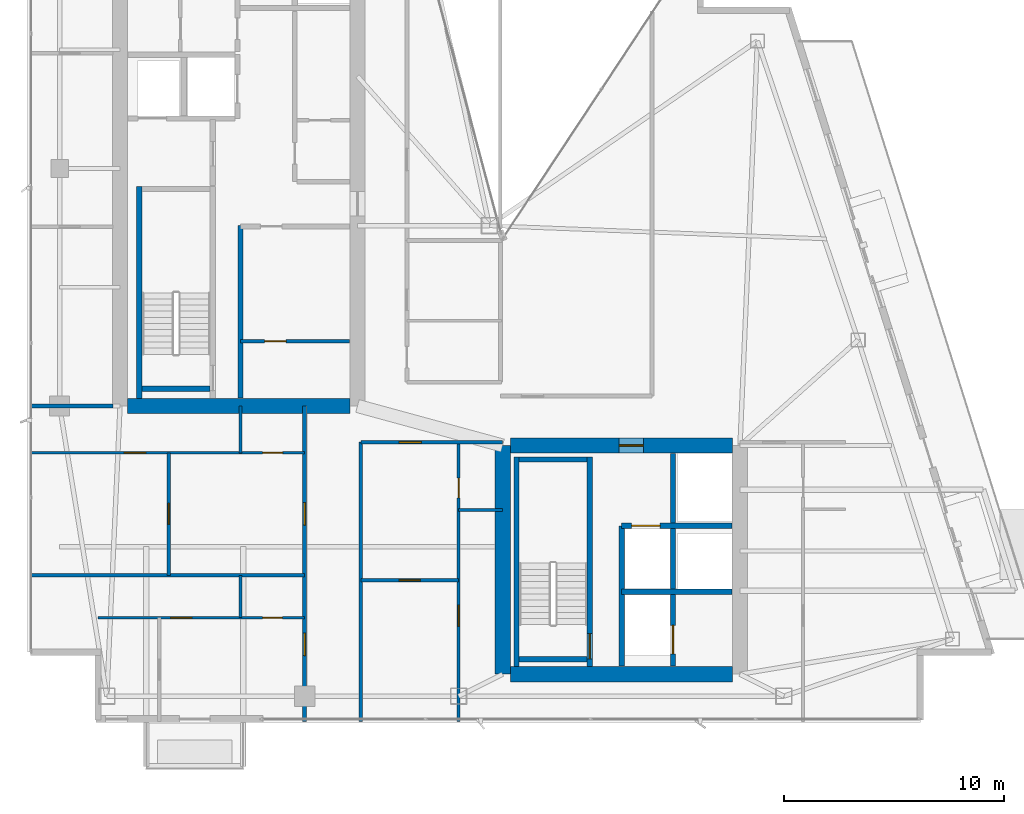
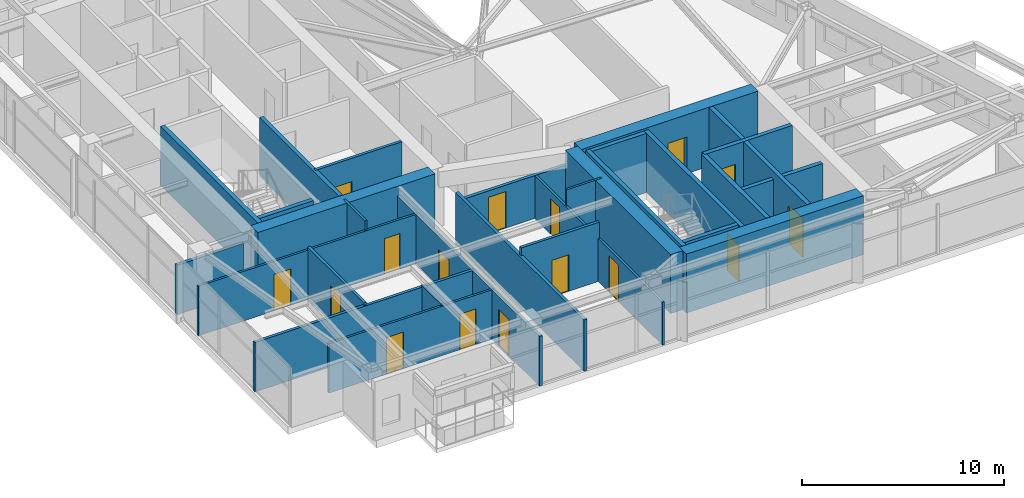
# One storey, part 23 of 28: 29 walls, 16 doors, 16 openings.
"""IFC4 building model written with IfcOpenShell, lengths in metres."""

from ifc_helpers import new_model, si_unit, direction, frame, frame_2d, origin, place, context, subcontext, project, spatial, rectangle, extrude, material, layer, layer_set, type_object, element, fill, save


model = new_model("IFC4")

# Units and contexts
model_context = context("Model", 3, precision=1e-05, world=origin(), true_north=direction((0.0, 1.0)))
body_context = subcontext(model_context, "Body", "Model", "MODEL_VIEW")
ifc_project = project(units=[si_unit("LENGTHUNIT", "METRE"), si_unit("AREAUNIT", "SQUARE_METRE"), si_unit("VOLUMEUNIT", "CUBIC_METRE"), si_unit("PLANEANGLEUNIT", "RADIAN"), si_unit("MASSUNIT", "GRAM", prefix="KILO")], contexts=[model_context])

# Site, building, storey
site_placement = place(None, origin())
site = spatial("IfcSite", under=ifc_project, at=site_placement, CompositionType="ELEMENT")
building_placement = place(site_placement, origin())
building = spatial("IfcBuilding", under=site, at=building_placement, Name="Calvorn Quay Hotel", CompositionType="ELEMENT")
storey_placement = place(building_placement, frame((0.0, 0.0, 263.5)))
storey = spatial("IfcBuildingStorey", under=building, at=storey_placement, Name="L65", CompositionType="ELEMENT", Elevation=263.5)

# Walls
ifc_material_1 = material(Name="Concrete C45", Category="concrete")
ifc_layer_1 = layer(ifc_material_1, 0.699951171875)
ifc_layer_set_1 = layer_set([ifc_layer_1], Name="WL-CORE-700")
wall_type_1 = type_object("IfcWallType", Name="WL-CORE-700", PredefinedType="SHEAR", material=ifc_layer_set_1)
wall_1_placement = place(storey_placement, frame((4.550048828125, 16.800048828125, 0.0), z_axis=(0.0, 0.0, 1.0), x_axis=(1.0, 0.0, 0.0)))
element("IfcWall", 1, at=wall_1_placement, inside=storey, type_object=wall_type_1, Name="West Core Shear Wall S (L65)", PredefinedType="SHEAR", context=body_context, shape_type="SweptSolid", body=[
    extrude(rectangle(XDim=10.099853515625, YDim=0.699951171875, at=frame_2d((5.0498046875, 0.0))), origin(), (0.0, 0.0, 1.0), 3.56005859375),
])
wall_2_placement = place(storey_placement, frame((21.60009765625, 4.60009765625, 0.0), z_axis=(0.0, 0.0, 1.0), x_axis=(0.0, 1.0, 0.0)))
element("IfcWall", 2, at=wall_2_placement, inside=storey, type_object=wall_type_1, Name="East Core Shear Wall W (L65)", PredefinedType="SHEAR", context=body_context, shape_type="SweptSolid", body=[
    extrude(rectangle(XDim=10.39990234375, YDim=0.699951171875, at=frame_2d((5.199951171875, 0.0))), origin(), (0.0, 0.0, 1.0), 3.56005859375),
])

# Wall, opening, door
wall_3_placement = place(storey_placement, frame((21.949951171875, 15.0, 0.0), z_axis=(0.0, 0.0, 1.0), x_axis=(1.0, 0.0, 0.0)))
wall_3 = element("IfcWall", 3, at=wall_3_placement, inside=storey, type_object=wall_type_1, Name="East Core Shear Wall N (L65)", PredefinedType="SHEAR", context=body_context, shape_type="SweptSolid", body=[
    extrude(rectangle(XDim=10.10009765625, YDim=0.699951171875, at=frame_2d((5.050048828125, 0.0))), origin(), (0.0, 0.0, 1.0), 3.56005859375),
])
opening_1_placement = place(wall_3_placement, frame((4.949951171875, 0.0, 0.0)))
opening_1 = element("IfcOpeningElement", 4, at=opening_1_placement, cuts=wall_3, Name="Opening D-L65-FLE", PredefinedType="OPENING", context=body_context, shape_type="SweptSolid", body=[
    extrude(rectangle(XDim=1.10009765625, YDim=2.199951171875, at=frame_2d((0.550048828125, 1.10009765625))), frame((0.0, 0.35986328125, 0.0), z_axis=(0.0, -1.0, 0.0), x_axis=(1.0, 0.0, 0.0)), (0.0, 0.0, 1.0), 0.719970703125),
])
ifc_material_2 = material(Name="Smoke-Sealed Steel Class A Fire Door", Category="steel")
door_type_1 = type_object("IfcDoorType", Name="DR-FFLOBBY-1100", OperationType="NOTDEFINED", PredefinedType="DOOR", material=ifc_material_2)
door_1_placement = place(opening_1_placement, origin())
door_1 = element("IfcDoor", 5, at=door_1_placement, inside=storey, type_object=door_type_1, Name="East Firefighting Lobby Fire Door (L65)", OperationType="SINGLE_SWING_LEFT", OverallHeight=2.199951171875, OverallWidth=1.10009765625, PredefinedType="DOOR", context=body_context, shape_type="SweptSolid", body=[
    extrude(rectangle(XDim=1.10009765625, YDim=2.199951171875, at=frame_2d((0.550048828125, 1.10009765625))), frame((0.0, 0.02490234375, 0.0), z_axis=(0.0, -1.0, 0.0), x_axis=(1.0, 0.0, 0.0)), (0.0, 0.0, 1.0), 0.050048828125),
])
fill(opening_1, door_1)

# Walls
wall_4_placement = place(storey_placement, frame((21.949951171875, 4.60009765625, 0.0), z_axis=(0.0, 0.0, 1.0), x_axis=(1.0, 0.0, 0.0)))
element("IfcWall", 6, at=wall_4_placement, inside=storey, type_object=wall_type_1, Name="East Core Shear Wall S (L65)", PredefinedType="SHEAR", context=body_context, shape_type="SweptSolid", body=[
    extrude(rectangle(XDim=10.10009765625, YDim=0.699951171875, at=frame_2d((5.050048828125, 0.0))), origin(), (0.0, 0.0, 1.0), 3.56005859375),
])
ifc_material_3 = material(Name="Acoustic Fireboard Steel-Stud Partition", Category="steel")
ifc_layer_2 = layer(ifc_material_3, 0.179931640625)
ifc_layer_set_2 = layer_set([ifc_layer_2], Name="WL-CORR-FIRE-180")
wall_type_2 = type_object("IfcWallType", Name="WL-CORR-FIRE-180", PredefinedType="PARTITIONING", material=ifc_layer_set_2)
wall_5_placement = place(storey_placement, frame((0.080078125, 16.800048828125, 0.0), z_axis=(0.0, 0.0, 1.0), x_axis=(1.0, 0.0, 0.0)))
element("IfcWall", 7, at=wall_5_placement, inside=storey, type_object=wall_type_2, Name="Partition Wall L65-WL-WBAY-S-WALL", PredefinedType="PARTITIONING", context=body_context, shape_type="SweptSolid", body=[
    extrude(rectangle(XDim=3.7998046875, YDim=0.179931640625, at=frame_2d((1.89990234375, 0.0))), origin(), (0.0, 0.0, 1.0), 2.989990234375),
])

# Wall, openings, doors
wall_6_placement = place(storey_placement, frame((12.60009765625, 2.43994140625, 0.0), z_axis=(0.0, 0.0, 1.0), x_axis=(0.0, 1.0, 0.0)))
wall_6 = element("IfcWall", 8, at=wall_6_placement, inside=storey, type_object=wall_type_2, Name="Partition Wall L65-WL-CORR-SW-LEG-W", PredefinedType="PARTITIONING", context=body_context, shape_type="SweptSolid", body=[
    extrude(rectangle(XDim=14.360107421875, YDim=0.179931640625, at=frame_2d((7.18017578125, 0.0))), origin(), (0.0, 0.0, 1.0), 2.989990234375),
])
opening_2_placement = place(wall_6_placement, frame((3.010009765625, 0.0, 0.0)))
opening_2 = element("IfcOpeningElement", 9, at=opening_2_placement, cuts=wall_6, Name="Opening D-L65-U01", PredefinedType="OPENING", context=body_context, shape_type="SweptSolid", body=[
    extrude(rectangle(XDim=1.02001953125, YDim=2.199951171875, at=frame_2d((0.510009765625, 1.10009765625))), frame((0.0, 0.099853515625, 0.0), z_axis=(0.0, -1.0, 0.0), x_axis=(1.0, 0.0, 0.0)), (0.0, 0.0, 1.0), 0.199951171875),
])
opening_3_placement = place(wall_6_placement, frame((8.93994140625, 0.0, 0.0)))
opening_3 = element("IfcOpeningElement", 10, at=opening_3_placement, cuts=wall_6, Name="Opening D-L65-U02", PredefinedType="OPENING", context=body_context, shape_type="SweptSolid", body=[
    extrude(rectangle(XDim=1.02001953125, YDim=2.199951171875, at=frame_2d((0.510009765625, 1.10009765625))), frame((0.0, 0.099853515625, 0.0), z_axis=(0.0, -1.0, 0.0), x_axis=(1.0, 0.0, 0.0)), (0.0, 0.0, 1.0), 0.199951171875),
])
ifc_material_4 = material(Name="Solid-Core Walnut Veneer Hotel Fire Door")
door_type_2 = type_object("IfcDoorType", Name="DR-GUEST-ENTRY-1020", OperationType="NOTDEFINED", PredefinedType="DOOR", material=ifc_material_4)
door_2_placement = place(opening_2_placement, origin())
door_2 = element("IfcDoor", 11, at=door_2_placement, inside=storey, type_object=door_type_2, Name="South-West Unit Door U01 (L65)", OperationType="SINGLE_SWING_LEFT", OverallHeight=2.199951171875, OverallWidth=1.02001953125, PredefinedType="DOOR", context=body_context, shape_type="SweptSolid", body=[
    extrude(rectangle(XDim=1.02001953125, YDim=2.199951171875, at=frame_2d((0.510009765625, 1.10009765625))), frame((0.0, 0.02490234375, 0.0), z_axis=(0.0, -1.0, 0.0), x_axis=(1.0, 0.0, 0.0)), (0.0, 0.0, 1.0), 0.050048828125),
])
fill(opening_2, door_2)
door_3_placement = place(opening_3_placement, origin())
door_3 = element("IfcDoor", 12, at=door_3_placement, inside=storey, type_object=door_type_2, Name="South-West Unit Door U02 (L65)", OperationType="SINGLE_SWING_RIGHT", OverallHeight=2.199951171875, OverallWidth=1.02001953125, PredefinedType="DOOR", context=body_context, shape_type="SweptSolid", body=[
    extrude(rectangle(XDim=1.02001953125, YDim=2.199951171875, at=frame_2d((0.510009765625, 1.10009765625))), frame((0.0, 0.02490234375, 0.0), z_axis=(0.0, -1.0, 0.0), x_axis=(1.0, 0.0, 0.0)), (0.0, 0.0, 1.0), 0.050048828125),
])
fill(opening_3, door_3)

# Wall
wall_7_placement = place(storey_placement, frame((15.14990234375, 2.43994140625, 0.0), z_axis=(0.0, 0.0, 1.0), x_axis=(0.0, 1.0, 0.0)))
element("IfcWall", 13, at=wall_7_placement, inside=storey, type_object=wall_type_2, Name="Partition Wall L65-WL-CORR-SW-W", PredefinedType="PARTITIONING", context=body_context, shape_type="SweptSolid", body=[
    extrude(rectangle(XDim=12.7099609375, YDim=0.179931640625, at=frame_2d((6.35498046875, 0.0))), origin(), (0.0, 0.0, 1.0), 3.090087890625),
])

# Wall, opening, door
wall_8_placement = place(storey_placement, frame((15.14990234375, 15.14990234375, 0.0), z_axis=(0.0, 0.0, 1.0), x_axis=(1.0, 0.0, 0.0)))
wall_8 = element("IfcWall", 14, at=wall_8_placement, inside=storey, type_object=wall_type_2, Name="Partition Wall L65-WL-SC-CORR-S", PredefinedType="PARTITIONING", context=body_context, shape_type="SweptSolid", body=[
    extrude(rectangle(XDim=6.4501953125, YDim=0.179931640625, at=frame_2d((3.22509765625, 0.0))), origin(), (0.0, 0.0, 1.0), 2.590087890625),
])
opening_4_placement = place(wall_8_placement, frame((1.739990234375, 0.0, 0.0)))
opening_4 = element("IfcOpeningElement", 15, at=opening_4_placement, cuts=wall_8, Name="Opening D-L65-U03", PredefinedType="OPENING", context=body_context, shape_type="SweptSolid", body=[
    extrude(rectangle(XDim=1.02001953125, YDim=2.199951171875, at=frame_2d((0.510009765625, 1.10009765625))), frame((0.0, 0.099853515625, 0.0), z_axis=(0.0, -1.0, 0.0), x_axis=(1.0, 0.0, 0.0)), (0.0, 0.0, 1.0), 0.199951171875),
])
door_4_placement = place(opening_4_placement, origin())
door_4 = element("IfcDoor", 16, at=door_4_placement, inside=storey, type_object=door_type_2, Name="Harbour Central Unit Door (L65)", OperationType="SINGLE_SWING_LEFT", OverallHeight=2.199951171875, OverallWidth=1.02001953125, PredefinedType="DOOR", context=body_context, shape_type="SweptSolid", body=[
    extrude(rectangle(XDim=1.02001953125, YDim=2.199951171875, at=frame_2d((0.510009765625, 1.10009765625))), frame((0.0, 0.02490234375, 0.0), z_axis=(0.0, -1.0, 0.0), x_axis=(1.0, 0.0, 0.0)), (0.0, 0.0, 1.0), 0.050048828125),
])
fill(opening_4, door_4)

# Wall
ifc_material_5 = material(Name="Moisture-Resistant Tile-Backed Partition")
ifc_layer_3 = layer(ifc_material_5, 0.125)
ifc_layer_set_3 = layer_set([ifc_layer_3], Name="WL-ENSUITE-125")
wall_type_3 = type_object("IfcWallType", Name="WL-ENSUITE-125", PredefinedType="PARTITIONING", material=ifc_layer_set_3)
wall_9_placement = place(storey_placement, frame((9.679931640625, 7.169921875, 0.0), z_axis=(0.0, 0.0, 1.0), x_axis=(0.0, 1.0, 0.0)))
element("IfcWall", 17, at=wall_9_placement, inside=storey, type_object=wall_type_3, Name="Partition Wall L65-WL-U01-BDV", PredefinedType="PARTITIONING", context=body_context, shape_type="SweptSolid", body=[
    extrude(rectangle(XDim=1.93017578125, YDim=0.125, at=frame_2d((0.965087890625, 0.0))), origin(), (0.0, 0.0, 1.0), 3.090087890625),
])

# Wall, openings, doors
wall_10_placement = place(storey_placement, frame((3.199951171875, 7.169921875, 0.0), z_axis=(0.0, 0.0, 1.0), x_axis=(1.0, 0.0, 0.0)))
wall_10 = element("IfcWall", 18, at=wall_10_placement, inside=storey, type_object=wall_type_3, Name="Partition Wall L65-WL-U01-BH", PredefinedType="PARTITIONING", context=body_context, shape_type="SweptSolid", body=[
    extrude(rectangle(XDim=9.400146484375, YDim=0.125, at=frame_2d((4.7001953125, 0.0))), origin(), (0.0, 0.0, 1.0), 2.989990234375),
])
opening_5_placement = place(wall_10_placement, frame((3.300048828125, 0.0, 0.0)))
opening_5 = element("IfcOpeningElement", 19, at=opening_5_placement, cuts=wall_10, Name="Opening D-L65-S01", PredefinedType="OPENING", context=body_context, shape_type="SweptSolid", body=[
    extrude(rectangle(XDim=0.9599609375, YDim=2.199951171875, at=frame_2d((0.47998046875, 1.10009765625))), frame((0.0, 0.072509765625, 0.0), z_axis=(0.0, -1.0, 0.0), x_axis=(1.0, 0.0, 0.0)), (0.0, 0.0, 1.0), 0.14501953125),
])
opening_6_placement = place(wall_10_placement, frame((7.489990234375, 0.0, 0.0)))
opening_6 = element("IfcOpeningElement", 20, at=opening_6_placement, cuts=wall_10, Name="Opening D-L65-E01", PredefinedType="OPENING", context=body_context, shape_type="SweptSolid", body=[
    extrude(rectangle(XDim=0.89990234375, YDim=2.14990234375, at=frame_2d((0.449951171875, 1.074951171875))), frame((0.0, 0.072509765625, 0.0), z_axis=(0.0, -1.0, 0.0), x_axis=(1.0, 0.0, 0.0)), (0.0, 0.0, 1.0), 0.14501953125),
])
ifc_material_6 = material(Name="Moisture-Sealed Timber En-Suite Door", Category="wood")
door_type_3 = type_object("IfcDoorType", Name="DR-ENSUITE-900", OperationType="NOTDEFINED", PredefinedType="DOOR", material=ifc_material_6)
door_5_placement = place(opening_6_placement, origin())
door_5 = element("IfcDoor", 21, at=door_5_placement, inside=storey, type_object=door_type_3, Name="En-Suite Door 01", OperationType="SINGLE_SWING_RIGHT", OverallHeight=2.14990234375, OverallWidth=0.89990234375, PredefinedType="DOOR", context=body_context, shape_type="SweptSolid", body=[
    extrude(rectangle(XDim=0.89990234375, YDim=2.14990234375, at=frame_2d((0.449951171875, 1.074951171875))), frame((0.0, 0.02490234375, 0.0), z_axis=(0.0, -1.0, 0.0), x_axis=(1.0, 0.0, 0.0)), (0.0, 0.0, 1.0), 0.050048828125),
])
fill(opening_6, door_5)
ifc_material_7 = material(Name="Solid Timber Internal Suite Door", Category="wood")
door_type_4 = type_object("IfcDoorType", Name="DR-SUITE-INT-960", OperationType="NOTDEFINED", PredefinedType="DOOR", material=ifc_material_7)
door_6_placement = place(opening_5_placement, origin())
door_6 = element("IfcDoor", 22, at=door_6_placement, inside=storey, type_object=door_type_4, Name="Harbour Dining Den Door 01", OperationType="SINGLE_SWING_LEFT", OverallHeight=2.199951171875, OverallWidth=0.9599609375, PredefinedType="DOOR", context=body_context, shape_type="SweptSolid", body=[
    extrude(rectangle(XDim=0.9599609375, YDim=2.199951171875, at=frame_2d((0.47998046875, 1.10009765625))), frame((0.0, 0.02490234375, 0.0), z_axis=(0.0, -1.0, 0.0), x_axis=(1.0, 0.0, 0.0)), (0.0, 0.0, 1.0), 0.050048828125),
])
fill(opening_5, door_6)

# Wall
wall_11_placement = place(storey_placement, frame((9.679931640625, 14.669921875, 0.0), z_axis=(0.0, 0.0, 1.0), x_axis=(0.0, 1.0, 0.0)))
element("IfcWall", 23, at=wall_11_placement, inside=storey, type_object=wall_type_3, Name="Partition Wall L65-WL-U02-BDV", PredefinedType="PARTITIONING", context=body_context, shape_type="SweptSolid", body=[
    extrude(rectangle(XDim=2.130126953125, YDim=0.125, at=frame_2d((1.06494140625, 0.0))), origin(), (0.0, 0.0, 1.0), 3.56005859375),
])

# Wall, openings, doors
wall_12_placement = place(storey_placement, frame((0.080078125, 14.669921875, 0.0), z_axis=(0.0, 0.0, 1.0), x_axis=(1.0, 0.0, 0.0)))
wall_12 = element("IfcWall", 24, at=wall_12_placement, inside=storey, type_object=wall_type_3, Name="Partition Wall L65-WL-U02-BH", PredefinedType="PARTITIONING", context=body_context, shape_type="SweptSolid", body=[
    extrude(rectangle(XDim=12.52001953125, YDim=0.125, at=frame_2d((6.260009765625, 0.0))), origin(), (0.0, 0.0, 1.0), 2.989990234375),
])
opening_7_placement = place(wall_12_placement, frame((4.320068359375, 0.0, 0.0)))
opening_7 = element("IfcOpeningElement", 25, at=opening_7_placement, cuts=wall_12, Name="Opening D-L65-S02", PredefinedType="OPENING", context=body_context, shape_type="SweptSolid", body=[
    extrude(rectangle(XDim=0.9599609375, YDim=2.199951171875, at=frame_2d((0.47998046875, 1.10009765625))), frame((0.0, 0.072509765625, 0.0), z_axis=(0.0, -1.0, 0.0), x_axis=(1.0, 0.0, 0.0)), (0.0, 0.0, 1.0), 0.14501953125),
])
opening_8_placement = place(wall_12_placement, frame((10.610107421875, 0.0, 0.0)))
opening_8 = element("IfcOpeningElement", 26, at=opening_8_placement, cuts=wall_12, Name="Opening D-L65-E02", PredefinedType="OPENING", context=body_context, shape_type="SweptSolid", body=[
    extrude(rectangle(XDim=0.89990234375, YDim=2.14990234375, at=frame_2d((0.449951171875, 1.074951171875))), frame((0.0, 0.072509765625, 0.0), z_axis=(0.0, -1.0, 0.0), x_axis=(1.0, 0.0, 0.0)), (0.0, 0.0, 1.0), 0.14501953125),
])
door_7_placement = place(opening_8_placement, origin())
door_7 = element("IfcDoor", 27, at=door_7_placement, inside=storey, type_object=door_type_3, Name="En-Suite Door 02", OperationType="SINGLE_SWING_RIGHT", OverallHeight=2.14990234375, OverallWidth=0.89990234375, PredefinedType="DOOR", context=body_context, shape_type="SweptSolid", body=[
    extrude(rectangle(XDim=0.89990234375, YDim=2.14990234375, at=frame_2d((0.449951171875, 1.074951171875))), frame((0.0, 0.02490234375, 0.0), z_axis=(0.0, -1.0, 0.0), x_axis=(1.0, 0.0, 0.0)), (0.0, 0.0, 1.0), 0.050048828125),
])
fill(opening_8, door_7)
door_8_placement = place(opening_7_placement, origin())
door_8 = element("IfcDoor", 28, at=door_8_placement, inside=storey, type_object=door_type_4, Name="Harbour Dining Den Door 02", OperationType="SINGLE_SWING_LEFT", OverallHeight=2.199951171875, OverallWidth=0.9599609375, PredefinedType="DOOR", context=body_context, shape_type="SweptSolid", body=[
    extrude(rectangle(XDim=0.9599609375, YDim=2.199951171875, at=frame_2d((0.47998046875, 1.10009765625))), frame((0.0, 0.02490234375, 0.0), z_axis=(0.0, -1.0, 0.0), x_axis=(1.0, 0.0, 0.0)), (0.0, 0.0, 1.0), 0.050048828125),
])
fill(opening_7, door_8)

# Wall
wall_13_placement = place(storey_placement, frame((19.60009765625, 12.070068359375, 0.0), z_axis=(0.0, 0.0, 1.0), x_axis=(1.0, 0.0, 0.0)))
element("IfcWall", 29, at=wall_13_placement, inside=storey, type_object=wall_type_3, Name="Partition Wall L65-WL-U03-BDV", PredefinedType="PARTITIONING", context=body_context, shape_type="SweptSolid", body=[
    extrude(rectangle(XDim=2.0, YDim=0.125, at=frame_2d((1.0, 0.0))), origin(), (0.0, 0.0, 1.0), 3.56005859375),
])

# Wall, openings, doors
wall_14_placement = place(storey_placement, frame((19.60009765625, 2.43994140625, 0.0), z_axis=(0.0, 0.0, 1.0), x_axis=(0.0, 1.0, 0.0)))
wall_14 = element("IfcWall", 30, at=wall_14_placement, inside=storey, type_object=wall_type_3, Name="Partition Wall L65-WL-U03-BV", PredefinedType="PARTITIONING", context=body_context, shape_type="SweptSolid", body=[
    extrude(rectangle(XDim=12.7099609375, YDim=0.125, at=frame_2d((6.35498046875, 0.0))), origin(), (0.0, 0.0, 1.0), 2.590087890625),
])
opening_9_placement = place(wall_14_placement, frame((4.340087890625, 0.0, 0.0)))
opening_9 = element("IfcOpeningElement", 31, at=opening_9_placement, cuts=wall_14, Name="Opening D-L65-S03", PredefinedType="OPENING", context=body_context, shape_type="SweptSolid", body=[
    extrude(rectangle(XDim=0.9599609375, YDim=2.199951171875, at=frame_2d((0.47998046875, 1.10009765625))), frame((0.0, 0.072509765625, 0.0), z_axis=(0.0, -1.0, 0.0), x_axis=(1.0, 0.0, 0.0)), (0.0, 0.0, 1.0), 0.14501953125),
])
opening_10_placement = place(wall_14_placement, frame((10.179931640625, 0.0, 0.0)))
opening_10 = element("IfcOpeningElement", 32, at=opening_10_placement, cuts=wall_14, Name="Opening D-L65-E03", PredefinedType="OPENING", context=body_context, shape_type="SweptSolid", body=[
    extrude(rectangle(XDim=0.89990234375, YDim=2.14990234375, at=frame_2d((0.449951171875, 1.074951171875))), frame((0.0, 0.072509765625, 0.0), z_axis=(0.0, -1.0, 0.0), x_axis=(1.0, 0.0, 0.0)), (0.0, 0.0, 1.0), 0.14501953125),
])
door_9_placement = place(opening_10_placement, origin())
door_9 = element("IfcDoor", 33, at=door_9_placement, inside=storey, type_object=door_type_3, Name="En-Suite Door 03", OperationType="SINGLE_SWING_RIGHT", OverallHeight=2.14990234375, OverallWidth=0.89990234375, PredefinedType="DOOR", context=body_context, shape_type="SweptSolid", body=[
    extrude(rectangle(XDim=0.89990234375, YDim=2.14990234375, at=frame_2d((0.449951171875, 1.074951171875))), frame((0.0, 0.02490234375, 0.0), z_axis=(0.0, -1.0, 0.0), x_axis=(1.0, 0.0, 0.0)), (0.0, 0.0, 1.0), 0.050048828125),
])
fill(opening_10, door_9)
door_10_placement = place(opening_9_placement, origin())
door_10 = element("IfcDoor", 34, at=door_10_placement, inside=storey, type_object=door_type_4, Name="Harbour Dining Den Door 03", OperationType="SINGLE_SWING_LEFT", OverallHeight=2.199951171875, OverallWidth=0.9599609375, PredefinedType="DOOR", context=body_context, shape_type="SweptSolid", body=[
    extrude(rectangle(XDim=0.9599609375, YDim=2.199951171875, at=frame_2d((0.47998046875, 1.10009765625))), frame((0.0, 0.02490234375, 0.0), z_axis=(0.0, -1.0, 0.0), x_axis=(1.0, 0.0, 0.0)), (0.0, 0.0, 1.0), 0.050048828125),
])
fill(opening_9, door_10)

# Wall, opening, door
ifc_material_8 = material(Name="Double-Stud Acoustic Gypsum Partition")
ifc_layer_4 = layer(ifc_material_8, 0.159912109375)
ifc_layer_set_4 = layer_set([ifc_layer_4], Name="WL-INTERSUITE-160")
wall_type_4 = type_object("IfcWallType", Name="WL-INTERSUITE-160", PredefinedType="PARTITIONING", material=ifc_layer_set_4)
wall_15_placement = place(storey_placement, frame((9.679931640625, 19.75, 0.0), z_axis=(0.0, 0.0, 1.0), x_axis=(1.0, 0.0, 0.0)))
wall_15 = element("IfcWall", 35, at=wall_15_placement, inside=storey, type_object=wall_type_4, Name="Partition Wall L65-WL-CWW-FR-SPLIT", PredefinedType="PARTITIONING", context=body_context, shape_type="SweptSolid", body=[
    extrude(rectangle(XDim=4.949951171875, YDim=0.159912109375, at=frame_2d((2.47509765625, 0.0))), origin(), (0.0, 0.0, 1.0), 3.56005859375),
])
opening_11_placement = place(wall_15_placement, frame((1.10009765625, 0.0, 0.0)))
opening_11 = element("IfcOpeningElement", 36, at=opening_11_placement, cuts=wall_15, Name="Opening D-L65-FRL1", PredefinedType="OPENING", context=body_context, shape_type="SweptSolid", body=[
    extrude(rectangle(XDim=0.97998046875, YDim=2.14990234375, at=frame_2d((0.489990234375, 1.074951171875))), frame((0.0, 0.08984375, 0.0), z_axis=(0.0, -1.0, 0.0), x_axis=(1.0, 0.0, 0.0)), (0.0, 0.0, 1.0), 0.179931640625),
])
ifc_material_9 = material(Name="Painted Steel Housekeeping/Riser Fire Door", Category="steel")
door_type_5 = type_object("IfcDoorType", Name="DR-SERVICE-980", OperationType="NOTDEFINED", PredefinedType="DOOR", material=ifc_material_9)
door_11_placement = place(opening_11_placement, origin())
door_11 = element("IfcDoor", 37, at=door_11_placement, inside=storey, type_object=door_type_5, Name="Linen Store Room Door (L65)", OperationType="SINGLE_SWING_LEFT", OverallHeight=2.14990234375, OverallWidth=0.97998046875, PredefinedType="DOOR", context=body_context, shape_type="SweptSolid", body=[
    extrude(rectangle(XDim=0.97998046875, YDim=2.14990234375, at=frame_2d((0.489990234375, 1.074951171875))), frame((0.0, 0.02490234375, 0.0), z_axis=(0.0, -1.0, 0.0), x_axis=(1.0, 0.0, 0.0)), (0.0, 0.0, 1.0), 0.050048828125),
])
fill(opening_11, door_11)

wall_16_placement = place(storey_placement, frame((6.419921875, 9.10009765625, 0.0), z_axis=(0.0, 0.0, 1.0), x_axis=(0.0, 1.0, 0.0)))
wall_16 = element("IfcWall", 38, at=wall_16_placement, inside=storey, type_object=wall_type_4, Name="Partition Wall L65-WL-U02-MSP", PredefinedType="PARTITIONING", context=body_context, shape_type="SweptSolid", body=[
    extrude(rectangle(XDim=5.56982421875, YDim=0.159912109375, at=frame_2d((2.784912109375, 0.0))), origin(), (0.0, 0.0, 1.0), 3.139892578125),
])
opening_12_placement = place(wall_16_placement, frame((2.31005859375, 0.0, 0.0)))
opening_12 = element("IfcOpeningElement", 39, at=opening_12_placement, cuts=wall_16, Name="Opening D-L65-M02", PredefinedType="OPENING", context=body_context, shape_type="SweptSolid", body=[
    extrude(rectangle(XDim=0.9599609375, YDim=2.199951171875, at=frame_2d((0.47998046875, 1.10009765625))), frame((0.0, 0.08984375, 0.0), z_axis=(0.0, -1.0, 0.0), x_axis=(1.0, 0.0, 0.0)), (0.0, 0.0, 1.0), 0.179931640625),
])
door_12_placement = place(opening_12_placement, origin())
door_12 = element("IfcDoor", 40, at=door_12_placement, inside=storey, type_object=door_type_4, Name="Suite Bedroom Door 02", OperationType="SINGLE_SWING_LEFT", OverallHeight=2.199951171875, OverallWidth=0.9599609375, PredefinedType="DOOR", context=body_context, shape_type="SweptSolid", body=[
    extrude(rectangle(XDim=0.9599609375, YDim=2.199951171875, at=frame_2d((0.47998046875, 1.10009765625))), frame((0.0, 0.02490234375, 0.0), z_axis=(0.0, -1.0, 0.0), x_axis=(1.0, 0.0, 0.0)), (0.0, 0.0, 1.0), 0.050048828125),
])
fill(opening_12, door_12)

# Wall
wall_17_placement = place(storey_placement, frame((0.080078125, 9.10009765625, 0.0), z_axis=(0.0, 0.0, 1.0), x_axis=(1.0, 0.0, 0.0)))
element("IfcWall", 41, at=wall_17_placement, inside=storey, type_object=wall_type_4, Name="Partition Wall L65-WL-SW-DIV-1", PredefinedType="PARTITIONING", context=body_context, shape_type="SweptSolid", body=[
    extrude(rectangle(XDim=12.52001953125, YDim=0.159912109375, at=frame_2d((6.260009765625, 0.0))), origin(), (0.0, 0.0, 1.0), 2.989990234375),
])

# Wall, opening, door
wall_18_placement = place(storey_placement, frame((15.14990234375, 8.8701171875, 0.0), z_axis=(0.0, 0.0, 1.0), x_axis=(1.0, 0.0, 0.0)))
wall_18 = element("IfcWall", 42, at=wall_18_placement, inside=storey, type_object=wall_type_4, Name="Partition Wall L65-WL-U03-MSP", PredefinedType="PARTITIONING", context=body_context, shape_type="SweptSolid", body=[
    extrude(rectangle(XDim=4.4501953125, YDim=0.159912109375, at=frame_2d((2.22509765625, 0.0))), origin(), (0.0, 0.0, 1.0), 3.56005859375),
])
opening_13_placement = place(wall_18_placement, frame((1.75, 0.0, 0.0)))
opening_13 = element("IfcOpeningElement", 43, at=opening_13_placement, cuts=wall_18, Name="Opening D-L65-M03", PredefinedType="OPENING", context=body_context, shape_type="SweptSolid", body=[
    extrude(rectangle(XDim=0.9599609375, YDim=2.199951171875, at=frame_2d((0.47998046875, 1.10009765625))), frame((0.0, 0.08984375, 0.0), z_axis=(0.0, -1.0, 0.0), x_axis=(1.0, 0.0, 0.0)), (0.0, 0.0, 1.0), 0.179931640625),
])
door_13_placement = place(opening_13_placement, origin())
door_13 = element("IfcDoor", 44, at=door_13_placement, inside=storey, type_object=door_type_4, Name="Suite Bedroom Door 03", OperationType="SINGLE_SWING_LEFT", OverallHeight=2.199951171875, OverallWidth=0.9599609375, PredefinedType="DOOR", context=body_context, shape_type="SweptSolid", body=[
    extrude(rectangle(XDim=0.9599609375, YDim=2.199951171875, at=frame_2d((0.47998046875, 1.10009765625))), frame((0.0, 0.02490234375, 0.0), z_axis=(0.0, -1.0, 0.0), x_axis=(1.0, 0.0, 0.0)), (0.0, 0.0, 1.0), 0.050048828125),
])
fill(opening_13, door_13)

# Walls
ifc_material_10 = material(Name="Autoclaved Aerated Masonry Block", Category="masonry")
ifc_layer_5 = layer(ifc_material_10, 0.219970703125)
ifc_layer_set_5 = layer_set([ifc_layer_5], Name="WL-LOBBY-FIRE-220")
wall_type_5 = type_object("IfcWallType", Name="WL-LOBBY-FIRE-220", PredefinedType="SOLIDWALL", material=ifc_layer_set_5)
wall_19_placement = place(storey_placement, frame((9.679931640625, 17.169921875, 0.0), z_axis=(0.0, 0.0, 1.0), x_axis=(0.0, 1.0, 0.0)))
element("IfcWall", 45, at=wall_19_placement, inside=storey, type_object=wall_type_5, Name="Partition Wall L65-WL-CWW-STW-HALL-E", PredefinedType="SOLIDWALL", context=body_context, shape_type="SweptSolid", body=[
    extrude(rectangle(XDim=7.830078125, YDim=0.219970703125, at=frame_2d((3.9150390625, 0.0))), origin(), (0.0, 0.0, 1.0), 3.56005859375),
])
ifc_material_11 = material(Name="Concrete C40", Category="concrete")
ifc_layer_6 = layer(ifc_material_11, 0.239990234375)
ifc_layer_set_6 = layer_set([ifc_layer_6], Name="WL-SHAFT-240")
wall_type_6 = type_object("IfcWallType", Name="WL-SHAFT-240", PredefinedType="SOLIDWALL", material=ifc_layer_set_6)
wall_20_placement = place(storey_placement, frame((5.080078125, 17.14990234375, 0.0), z_axis=(0.0, 0.0, 1.0), x_axis=(0.0, 1.0, 0.0)))
element("IfcWall", 46, at=wall_20_placement, inside=storey, type_object=wall_type_6, Name="Stair STW Shaft Wall W (L65)", PredefinedType="SOLIDWALL", context=body_context, shape_type="SweptSolid", body=[
    extrude(rectangle(XDim=9.64013671875, YDim=0.239990234375, at=frame_2d((4.820068359375, 0.0))), origin(), (0.0, 0.0, 1.0), 3.56005859375),
])
wall_21_placement = place(storey_placement, frame((5.199951171875, 17.580078125, 0.0), z_axis=(0.0, 0.0, 1.0), x_axis=(1.0, 0.0, 0.0)))
element("IfcWall", 47, at=wall_21_placement, inside=storey, type_object=wall_type_6, Name="Stair STW Shaft Wall S (L65)", PredefinedType="SOLIDWALL", context=body_context, shape_type="SweptSolid", body=[
    extrude(rectangle(XDim=3.10009765625, YDim=0.239990234375, at=frame_2d((1.550048828125, 0.0))), origin(), (0.0, 0.0, 1.0), 3.56005859375),
])
wall_22_placement = place(storey_placement, frame((22.22998046875, 4.949951171875, 0.0), z_axis=(0.0, 0.0, 1.0), x_axis=(0.0, 1.0, 0.0)))
element("IfcWall", 48, at=wall_22_placement, inside=storey, type_object=wall_type_6, Name="Stair STE Shaft Wall W (L65)", PredefinedType="SOLIDWALL", context=body_context, shape_type="SweptSolid", body=[
    extrude(rectangle(XDim=9.5400390625, YDim=0.239990234375, at=frame_2d((4.77001953125, 0.0))), origin(), (0.0, 0.0, 1.0), 3.56005859375),
])

# Wall, opening, door
wall_23_placement = place(storey_placement, frame((25.570068359375, 4.949951171875, 0.0), z_axis=(0.0, 0.0, 1.0), x_axis=(0.0, 1.0, 0.0)))
wall_23 = element("IfcWall", 49, at=wall_23_placement, inside=storey, type_object=wall_type_6, Name="Stair STE Shaft Wall E (L65)", PredefinedType="SOLIDWALL", context=body_context, shape_type="SweptSolid", body=[
    extrude(rectangle(XDim=9.5400390625, YDim=0.239990234375, at=frame_2d((4.77001953125, 0.0))), origin(), (0.0, 0.0, 1.0), 3.56005859375),
])
opening_14_placement = place(wall_23_placement, frame((0.35009765625, 0.0, 0.0)))
opening_14 = element("IfcOpeningElement", 50, at=opening_14_placement, cuts=wall_23, Name="Opening D-L65-STE", PredefinedType="OPENING", context=body_context, shape_type="SweptSolid", body=[
    extrude(rectangle(XDim=1.14990234375, YDim=2.199951171875, at=frame_2d((0.574951171875, 1.10009765625))), frame((0.0, 0.1298828125, 0.0), z_axis=(0.0, -1.0, 0.0), x_axis=(1.0, 0.0, 0.0)), (0.0, 0.0, 1.0), 0.260009765625),
])
ifc_material_12 = material(Name="Galvanised Steel Class A Fire Door", Category="steel")
door_type_6 = type_object("IfcDoorType", Name="DR-STAIR-SMOKE-1150", OperationType="NOTDEFINED", PredefinedType="DOOR", material=ifc_material_12)
door_14_placement = place(opening_14_placement, origin())
door_14 = element("IfcDoor", 51, at=door_14_placement, inside=storey, type_object=door_type_6, Name="Stair ST-E Fire Door (L65)", OperationType="SINGLE_SWING_RIGHT", OverallHeight=2.199951171875, OverallWidth=1.14990234375, PredefinedType="DOOR", context=body_context, shape_type="SweptSolid", body=[
    extrude(rectangle(XDim=1.14990234375, YDim=2.199951171875, at=frame_2d((0.574951171875, 1.10009765625))), frame((0.0, 0.02490234375, 0.0), z_axis=(0.0, -1.0, 0.0), x_axis=(1.0, 0.0, 0.0)), (0.0, 0.0, 1.0), 0.050048828125),
])
fill(opening_14, door_14)

# Walls
for number, where, z_axis, x_axis, name in (
    (52, (22.35009765625, 5.280029296875, 0.0), (0.0, 0.0, 1.0), (1.0, 0.0, 0.0), "Stair STE Shaft Wall S (L65)"),
    (53, (22.35009765625, 14.3701171875, 0.0), (0.0, 0.0, 1.0), (1.0, 0.0, 0.0), "Stair STE Shaft Wall N (L65)"),
):
    element("IfcWall", number, at=place(storey_placement, frame(where, z_axis=z_axis, x_axis=x_axis)), inside=storey, type_object=wall_type_6, Name=name, PredefinedType="SOLIDWALL", context=body_context, shape_type="SweptSolid", body=[
        extrude(rectangle(XDim=3.099853515625, YDim=0.239990234375, at=frame_2d((1.5498046875, 0.0))), origin(), (0.0, 0.0, 1.0), 3.56005859375),
    ])
wall_24_placement = place(storey_placement, frame((27.02001953125, 4.969970703125, 0.0), z_axis=(0.0, 0.0, 1.0), x_axis=(0.0, 1.0, 0.0)))
element("IfcWall", 54, at=wall_24_placement, inside=storey, type_object=wall_type_6, Name="Partition Wall L65-WL-CWE-SH-W", PredefinedType="SOLIDWALL", context=body_context, shape_type="SweptSolid", body=[
    extrude(rectangle(XDim=6.380126953125, YDim=0.239990234375, at=frame_2d((3.18994140625, 0.0))), origin(), (0.0, 0.0, 1.0), 3.56005859375),
])

# Wall, opening, door
wall_25_placement = place(storey_placement, frame((27.02001953125, 11.35009765625, 0.0), z_axis=(0.0, 0.0, 1.0), x_axis=(1.0, 0.0, 0.0)))
wall_25 = element("IfcWall", 55, at=wall_25_placement, inside=storey, type_object=wall_type_6, Name="Partition Wall L65-WL-CWE-FFL-S", PredefinedType="SOLIDWALL", context=body_context, shape_type="SweptSolid", body=[
    extrude(rectangle(XDim=5.010009765625, YDim=0.239990234375, at=frame_2d((2.5048828125, 0.0))), origin(), (0.0, 0.0, 1.0), 3.56005859375),
])
opening_15_placement = place(wall_25_placement, frame((0.449951171875, 0.0, 0.0)))
opening_15 = element("IfcOpeningElement", 56, at=opening_15_placement, cuts=wall_25, Name="Opening LD-L65-FLE1", PredefinedType="OPENING", context=body_context, shape_type="SweptSolid", body=[
    extrude(rectangle(XDim=1.300048828125, YDim=2.35009765625, at=frame_2d((0.64990234375, 1.175048828125))), frame((0.0, 0.1298828125, 0.0), z_axis=(0.0, -1.0, 0.0), x_axis=(1.0, 0.0, 0.0)), (0.0, 0.0, 1.0), 0.260009765625),
])
ifc_material_13 = material(Name="Champagne-Bronze Sliding Express Lift Landing Door")
door_type_7 = type_object("IfcDoorType", Name="DR-LIFT-SHUTTLE-1300", OperationType="NOTDEFINED", PredefinedType="DOOR", material=ifc_material_13)
door_15_placement = place(opening_15_placement, origin())
door_15 = element("IfcDoor", 57, at=door_15_placement, inside=storey, type_object=door_type_7, Name="Firefighting Lift FL-E1 Landing Door (L65)", OperationType="DOUBLE_DOOR_SLIDING", OverallHeight=2.35009765625, OverallWidth=1.300048828125, PredefinedType="DOOR", context=body_context, shape_type="SweptSolid", body=[
    extrude(rectangle(XDim=1.300048828125, YDim=2.35009765625, at=frame_2d((0.64990234375, 1.175048828125))), frame((0.0, 0.02490234375, 0.0), z_axis=(0.0, -1.0, 0.0), x_axis=(1.0, 0.0, 0.0)), (0.0, 0.0, 1.0), 0.050048828125),
])
fill(opening_15, door_15)

# Wall
wall_26_placement = place(storey_placement, frame((27.02001953125, 8.35009765625, 0.0), z_axis=(0.0, 0.0, 1.0), x_axis=(1.0, 0.0, 0.0)))
element("IfcWall", 58, at=wall_26_placement, inside=storey, type_object=wall_type_6, Name="Partition Wall L65-WL-CWE-SL-N", PredefinedType="SOLIDWALL", context=body_context, shape_type="SweptSolid", body=[
    extrude(rectangle(XDim=5.010009765625, YDim=0.239990234375, at=frame_2d((2.5048828125, 0.0))), origin(), (0.0, 0.0, 1.0), 3.090087890625),
])

# Wall, opening, door
wall_27_placement = place(storey_placement, frame((29.35009765625, 4.969970703125, 0.0), z_axis=(0.0, 0.0, 1.0), x_axis=(0.0, 1.0, 0.0)))
wall_27 = element("IfcWall", 59, at=wall_27_placement, inside=storey, type_object=wall_type_6, Name="Partition Wall L65-WL-CWE-OB-W", PredefinedType="SOLIDWALL", context=body_context, shape_type="SweptSolid", body=[
    extrude(rectangle(XDim=9.659912109375, YDim=0.239990234375, at=frame_2d((4.830078125, 0.0))), origin(), (0.0, 0.0, 1.0), 3.56005859375),
])
opening_16_placement = place(wall_27_placement, frame((0.550048828125, 0.0, 0.0)))
opening_16 = element("IfcOpeningElement", 60, at=opening_16_placement, cuts=wall_27, Name="Opening LD-L65-SLEI", PredefinedType="OPENING", context=body_context, shape_type="SweptSolid", body=[
    extrude(rectangle(XDim=1.300048828125, YDim=2.35009765625, at=frame_2d((0.64990234375, 1.175048828125))), frame((0.0, 0.1298828125, 0.0), z_axis=(0.0, -1.0, 0.0), x_axis=(1.0, 0.0, 0.0)), (0.0, 0.0, 1.0), 0.260009765625),
])
door_16_placement = place(opening_16_placement, origin())
door_16 = element("IfcDoor", 61, at=door_16_placement, inside=storey, type_object=door_type_7, Name="Service Lift SL-E1 Landing Door (L65)", OperationType="DOUBLE_DOOR_SLIDING", OverallHeight=2.35009765625, OverallWidth=1.300048828125, PredefinedType="DOOR", context=body_context, shape_type="SweptSolid", body=[
    extrude(rectangle(XDim=1.300048828125, YDim=2.35009765625, at=frame_2d((0.64990234375, 1.175048828125))), frame((0.0, 0.02490234375, 0.0), z_axis=(0.0, -1.0, 0.0), x_axis=(1.0, 0.0, 0.0)), (0.0, 0.0, 1.0), 0.050048828125),
])
fill(opening_16, door_16)

save(model, "model.ifc")
